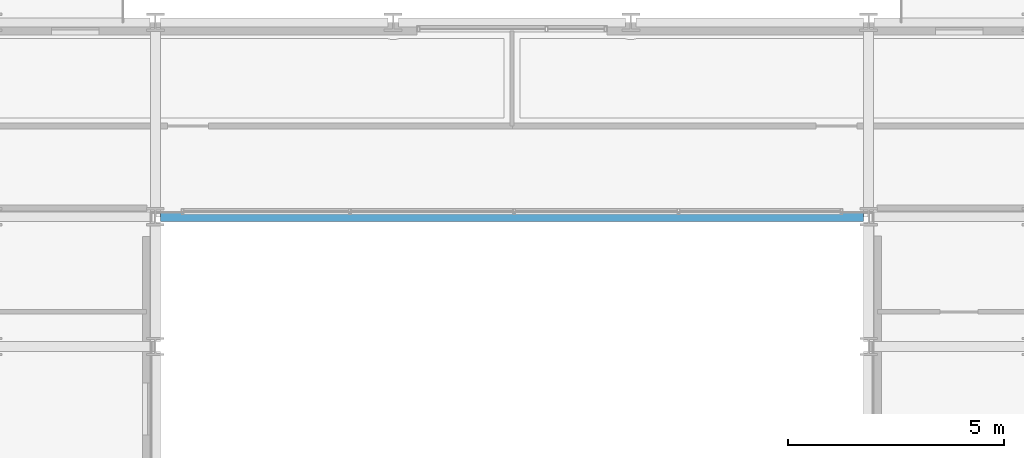
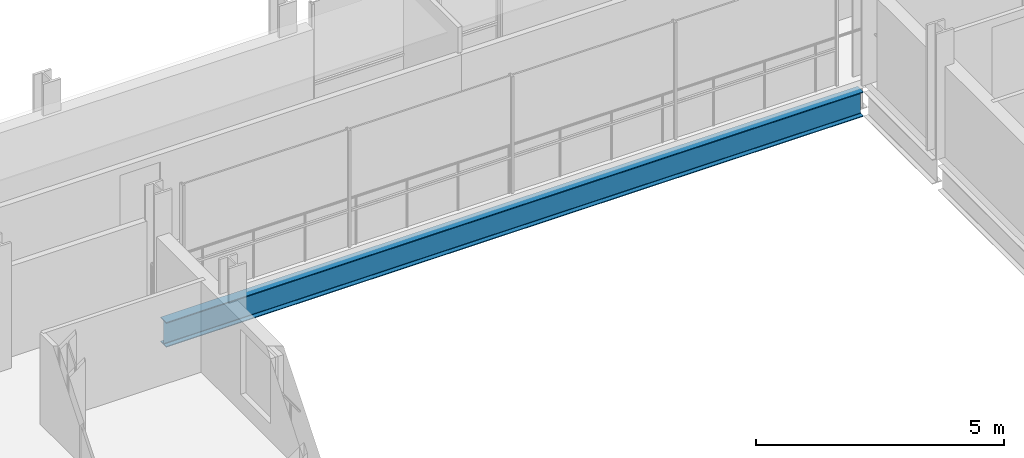
# One storey, part 10 of 41: 1 beam.
"""IFC4 building model written with IfcOpenShell, lengths in metres."""

from ifc_helpers import new_model, si_unit, direction, frame, origin, origin_2d, place, context, subcontext, project, spatial, i_section, extrude, material, material_profile, profile_set, type_object, element, save


model = new_model("IFC4")

# Units and contexts
model_context = context("Model", 3, precision=1e-05, world=origin(), true_north=direction((0.0, 1.0)))
body_context = subcontext(model_context, "Body", "Model", "MODEL_VIEW")
ifc_project = project(units=[si_unit("LENGTHUNIT", "METRE"), si_unit("AREAUNIT", "SQUARE_METRE"), si_unit("VOLUMEUNIT", "CUBIC_METRE"), si_unit("PLANEANGLEUNIT", "RADIAN"), si_unit("MASSUNIT", "GRAM", prefix="KILO")], contexts=[model_context])

# Site, building, storey
site_placement = place(None, origin())
site = spatial("IfcSite", under=ifc_project, at=site_placement, CompositionType="ELEMENT")
building_placement = place(site_placement, origin())
building = spatial("IfcBuilding", under=site, at=building_placement, Name="Brevholm Reach", CompositionType="ELEMENT")
storey_placement = place(building_placement, frame((0.0, 0.0, 106.60009765625)))
storey = spatial("IfcBuildingStorey", under=building, at=storey_placement, Name="L31", CompositionType="ELEMENT", Elevation=106.60009765625)

# Beam
ifc_material = material(Name="Structural Steel S355J2", Category="steel")
ifc_material_profile = material_profile(ifc_material, i_section(OverallWidth=0.22900390625, OverallDepth=0.6123046875, WebThickness=0.011962890625, FlangeThickness=0.01953125, FilletRadius=0.0126953125, at=origin_2d()), Name="UKB 610x229x125")
ifc_profile_set = profile_set([ifc_material_profile], Name="Structural Steel S355J2")
beam_type = type_object("IfcBeamType", Name="BM-SP610", PredefinedType="SPANDREL", material=ifc_profile_set)
beam_placement = place(storey_placement, frame((21.8701171875, 26.5, -0.526123046875), z_axis=(1.0, 0.0, 0.0), x_axis=(0.0, 1.0, 0.0)))
element("IfcBeam", 1, at=beam_placement, inside=storey, type_object=beam_type, Name="L31 SP-01 Framing Beam", PredefinedType="SPANDREL", context=body_context, shape_type="SweptSolid", body=[
    extrude(i_section(OverallWidth=0.22900390625, OverallDepth=0.6123046875, WebThickness=0.011962890625, FlangeThickness=0.01953125, FilletRadius=0.0126953125, at=origin_2d()), origin(), (0.0, 0.0, 1.0), 16.259765625),
])

save(model, "model.ifc")
